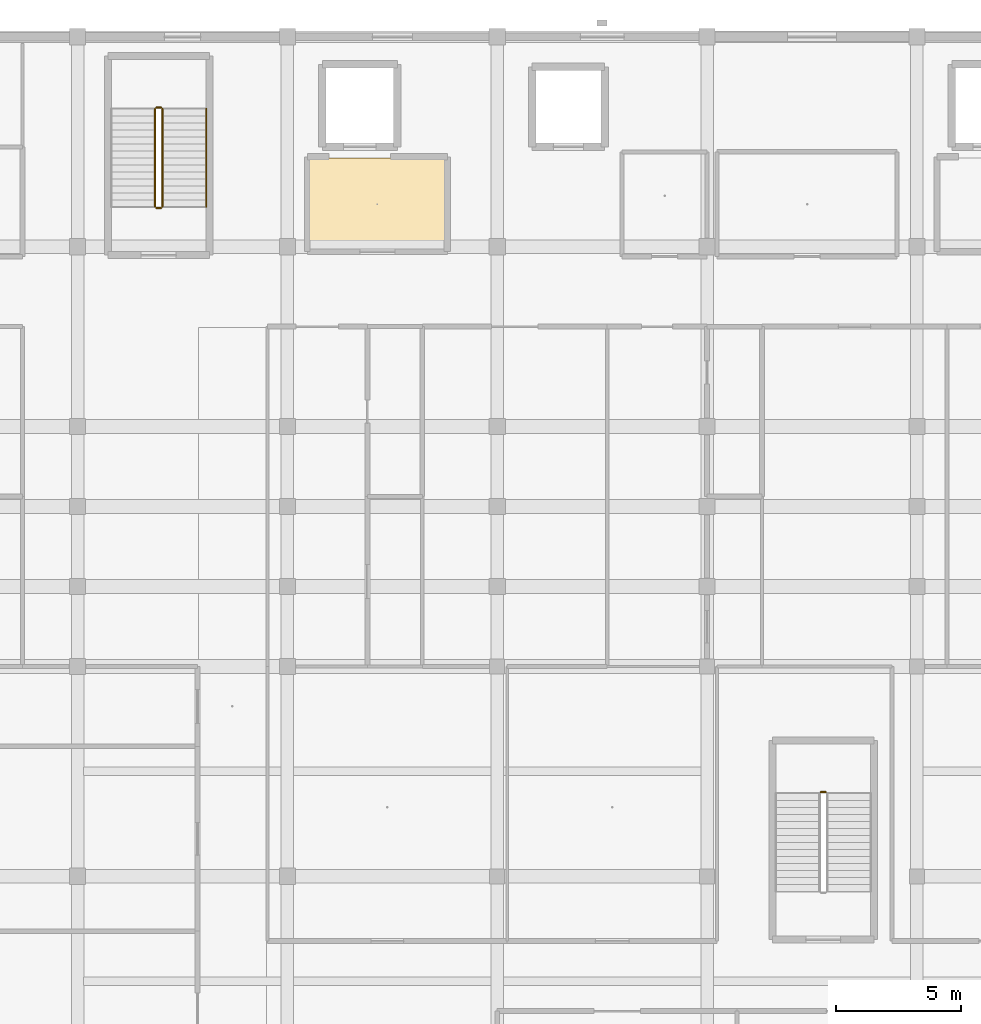
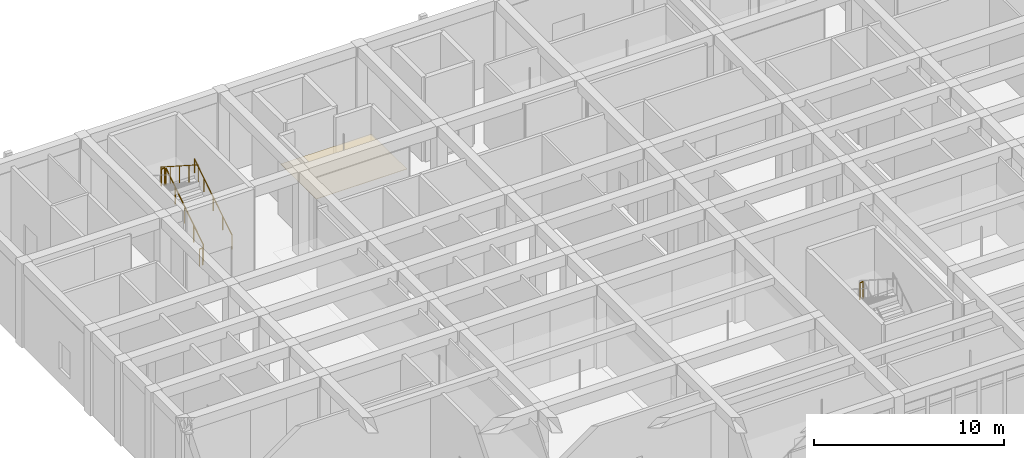
# One storey, part 140 of 157: 6 railings, 1 covering.
"""IFC4 building model written with IfcOpenShell, lengths in metres."""

import ifcopenshell
import ifcopenshell.guid

model = None  # the IFC model being written
_history = None  # IfcOwnerHistory: only IFC2X3 demands one
_inside = {}  # id of a spatial element -> (the spatial element, [elements in it])
_under = {}  # id of a project, library or spatial element -> (it, [spatial elements below it])
_declared = {}  # id of a project -> (the project, [libraries it declares])
_typed = {}  # id of a type object -> (the type object, [elements of that type])
_made_of = {}  # id of a material, layer set ... -> (it, [elements and type objects made of it])


def new_model(schema):
    """Start an empty IFC model of exactly this schema.

    Asked for "IFC4X3", IfcOpenShell would pick the latest addendum, in which some entities
    have other attributes; the version numbers below select the first issue.
    IFC2X3 requires an IfcOwnerHistory on every rooted entity: one is made here for all.
    """
    global model, _history
    if schema == "IFC4X3":
        model = ifcopenshell.file(schema_version=(4, 3, 0, 0))
    else:
        model = ifcopenshell.file(schema=schema)
    _inside.clear()
    _under.clear()
    _declared.clear()
    _typed.clear()
    _made_of.clear()
    _history = None
    if model.schema == "IFC2X3":
        org = make("IfcOrganization", Name="unknown")
        user = make(
            "IfcPersonAndOrganization",
            ThePerson=make("IfcPerson", FamilyName="unknown"),
            TheOrganization=org,
        )
        app = make(
            "IfcApplication",
            ApplicationDeveloper=org,
            Version="unknown",
            ApplicationFullName="unknown",
            ApplicationIdentifier="unknown",
        )
        _history = make(
            "IfcOwnerHistory",
            OwningUser=user,
            OwningApplication=app,
            ChangeAction="ADDED",
            CreationDate=0,
        )
    return model


def make(cls, **values):
    """One entity of the class cls with the attributes given. An attribute that is None is left unset."""
    return model.create_entity(
        cls, **{name: value for name, value in values.items() if value is not None}
    )


def rooted(cls, **values):
    """An entity with a GlobalId (a new one), such as an element, a storey or a relation."""
    return make(cls, GlobalId=ifcopenshell.guid.new(), OwnerHistory=_history, **values)


def si_unit(unit_type, name, prefix=None):
    """IfcSIUnit, for example si_unit("LENGTHUNIT", "METRE", prefix="MILLI")."""
    return make("IfcSIUnit", UnitType=unit_type, Prefix=prefix, Name=name)


def assignment(units):
    """IfcUnitAssignment: the units of a project."""
    return None if units is None else make("IfcUnitAssignment", Units=units)


def point(xyz):
    """IfcCartesianPoint."""
    return None if xyz is None else make("IfcCartesianPoint", Coordinates=xyz)


def direction(xyz):
    """IfcDirection."""
    return None if xyz is None else make("IfcDirection", DirectionRatios=xyz)


def frame(location, z_axis=None, x_axis=None):
    """IfcAxis2Placement3D, a coordinate frame: its origin and axes. An axis left out is left unset."""
    return make(
        "IfcAxis2Placement3D",
        Location=point(location),
        Axis=direction(z_axis),
        RefDirection=direction(x_axis),
    )


def frame_2d(location, x_axis=None):
    """IfcAxis2Placement2D, a coordinate frame in the plane: its origin and x axis."""
    return make(
        "IfcAxis2Placement2D", Location=point(location), RefDirection=direction(x_axis)
    )


def origin():
    """The frame at (0, 0, 0) with its axes left unset."""
    return frame((0.0, 0.0, 0.0))


def origin_2d():
    """The frame at (0, 0) in the plane with its x axis left unset."""
    return frame_2d((0.0, 0.0))


def place(relative_to, where):
    """IfcLocalPlacement: puts the frame where relative to a parent placement (None: the world)."""
    return make(
        "IfcLocalPlacement", PlacementRelTo=relative_to, RelativePlacement=where
    )


def context(
    kind, dimensions, precision=None, world=None, true_north=None, identifier=None
):
    """IfcGeometricRepresentationContext, for example the 3D "Model" context."""
    return make(
        "IfcGeometricRepresentationContext",
        ContextIdentifier=identifier,
        ContextType=kind,
        CoordinateSpaceDimension=dimensions,
        Precision=precision,
        WorldCoordinateSystem=world,
        TrueNorth=true_north,
    )


def subcontext(parent, identifier, kind, view, scale=None):
    """IfcGeometricRepresentationSubContext, for example "Body" below "Model"."""
    return make(
        "IfcGeometricRepresentationSubContext",
        ContextIdentifier=identifier,
        ContextType=kind,
        ParentContext=parent,
        TargetScale=scale,
        TargetView=view,
    )


def project(units=None, contexts=None):
    """IfcProject with its units and contexts."""
    return rooted(
        "IfcProject",
        Name="project",
        RepresentationContexts=contexts,
        UnitsInContext=assignment(units),
    )


def spatial(cls, under=None, at=None, **own):
    """A site, building, storey or space (cls), placed at a placement, below another one or the project."""
    s = rooted(cls, ObjectPlacement=at, **own)
    if under is not None:
        _under.setdefault(under.id(), (under, []))[1].append(s)
    return s


def polyline(points):
    """IfcPolyline through the points."""
    return make("IfcPolyline", Points=[point(p) for p in points])


def profile(cls, at=None, kind="AREA", **sizes):
    """A parametric profile (cls). Its sizes go by their IFC names, for example OverallWidth=200.0."""
    return make(cls, ProfileType=kind, Position=at, **sizes)


def circle(**sizes):
    """IfcCircleProfileDef."""
    return profile("IfcCircleProfileDef", **sizes)


def outline(outer, holes=None, kind="AREA"):
    """IfcArbitraryClosedProfileDef: a profile drawn as a closed curve; with holes, ...WithVoids."""
    if holes is None:
        return make("IfcArbitraryClosedProfileDef", ProfileType=kind, OuterCurve=outer)
    return make(
        "IfcArbitraryProfileDefWithVoids",
        ProfileType=kind,
        OuterCurve=outer,
        InnerCurves=holes,
    )


def extrude(swept, where, along, depth):
    """IfcExtrudedAreaSolid: the profile swept, set in the frame where, extruded along a direction by depth."""
    return make(
        "IfcExtrudedAreaSolid",
        SweptArea=swept,
        Position=where,
        ExtrudedDirection=direction(along),
        Depth=depth,
    )


def shape(context_of_items, identifier, shape_type, items):
    """IfcShapeRepresentation: the items that make up one representation, for example the "Body"."""
    return make(
        "IfcShapeRepresentation",
        ContextOfItems=context_of_items,
        RepresentationIdentifier=identifier,
        RepresentationType=shape_type,
        Items=items,
    )


def material(Name=None, Category=None):
    """IfcMaterial."""
    return make("IfcMaterial", Name=Name, Category=Category)


def layer(
    of_material, thickness, ventilated=None, Name=None, Category=None, Priority=None
):
    """IfcMaterialLayer: one layer of a wall or slab, of a material (None: an air gap)."""
    return make(
        "IfcMaterialLayer",
        Material=of_material,
        LayerThickness=thickness,
        IsVentilated=ventilated,
        Name=Name,
        Category=Category,
        Priority=Priority,
    )


def layer_set(layers, Name=None):
    """IfcMaterialLayerSet."""
    return make("IfcMaterialLayerSet", MaterialLayers=layers, LayerSetName=Name)


def made_of(thing, what):
    """Note that an element or type object is made of a material, layer set ...; save() writes the relation."""
    if what is not None:
        _made_of.setdefault(what.id(), (what, []))[1].append(thing)
    return thing


def type_object(cls, material=None, **own):
    """A type object (cls), such as IfcWallType, which elements share."""
    return made_of(rooted(cls, **own), material)


def element(
    cls,
    number,
    at=None,
    inside=None,
    cuts=None,
    type_object=None,
    material=None,
    context=None,
    identifier="Body",
    shape_type=None,
    held_by="IfcProductDefinitionShape",
    body=None,
    shapes=None,
    **own,
):
    """One element of the class cls, such as IfcWall. Its Tag is "e" and its number.

    at: its placement. inside: the storey or other place that contains it. cuts: it is an
    opening in that element (IfcRelVoidsElement). A single representation is given by context,
    identifier, shape_type and body (its items); several are given by shapes. held_by: the class
    of the entity that holds the representations. save() writes the other relations.
    """
    e = rooted(cls, Tag="e%d" % number, ObjectPlacement=at, **own)
    if body is not None:
        shapes = [shape(context, identifier, shape_type, body)]
    if shapes is not None:
        e.Representation = make(held_by, Representations=shapes)
    if inside is not None:
        _inside.setdefault(inside.id(), (inside, []))[1].append(e)
    if cuts is not None:
        rooted(
            "IfcRelVoidsElement", RelatingBuildingElement=cuts, RelatedOpeningElement=e
        )
    if type_object is not None:
        _typed.setdefault(type_object.id(), (type_object, []))[1].append(e)
    return made_of(e, material)


def aggregate(whole, parts):
    """IfcRelAggregates: a whole, such as a stair, and the parts it consists of."""
    return rooted("IfcRelAggregates", RelatingObject=whole, RelatedObjects=parts)


def save(model, path):
    """Write the relations noted so far, then the file.

    IfcRelAggregates (storeys below a building ...), IfcRelContainedInSpatialStructure (elements
    in a storey), IfcRelDefinesByType, IfcRelAssociatesMaterial and IfcRelDeclares: one each for
    every whole, place, type object, material and project.
    """
    for whole, parts in _under.values():
        aggregate(whole, parts)
    for where, things in _inside.values():
        rooted(
            "IfcRelContainedInSpatialStructure",
            RelatedElements=things,
            RelatingStructure=where,
        )
    for kind, things in _typed.values():
        rooted("IfcRelDefinesByType", RelatedObjects=things, RelatingType=kind)
    for what, things in _made_of.values():
        rooted("IfcRelAssociatesMaterial", RelatedObjects=things, RelatingMaterial=what)
    for by, libraries in _declared.values():
        rooted("IfcRelDeclares", RelatingContext=by, RelatedDefinitions=libraries)
    model.write(path)


model = new_model("IFC4")

# Units and contexts
model_context = context("Model", 3, precision=1e-05, world=origin(), true_north=direction((0.0, 1.0)))
body_context = subcontext(model_context, "Body", "Model", "MODEL_VIEW")
ifc_project = project(units=[si_unit("LENGTHUNIT", "METRE"), si_unit("AREAUNIT", "SQUARE_METRE"), si_unit("VOLUMEUNIT", "CUBIC_METRE"), si_unit("PLANEANGLEUNIT", "RADIAN"), si_unit("MASSUNIT", "GRAM", prefix="KILO")], contexts=[model_context])

# Site, building, storey
site_placement = place(None, origin())
site = spatial("IfcSite", under=ifc_project, at=site_placement, CompositionType="ELEMENT")
building_placement = place(site_placement, origin())
building = spatial("IfcBuilding", under=site, at=building_placement, Name="Varncliffe General Hospital", CompositionType="ELEMENT")
storey_placement = place(building_placement, frame((0.0, 0.0, 5.39990234375)))
storey = spatial("IfcBuildingStorey", under=building, at=storey_placement, Name="L01", CompositionType="ELEMENT", Elevation=5.39990234375)

# Covering
ifc_material_1 = material(Name="Hygienic antimicrobial acoustic suspended ceiling tile", Category="gypsum")
ifc_layer = layer(ifc_material_1, 0.02490234375)
ifc_layer_set = layer_set([ifc_layer], Name="Hygienic antimicrobial acoustic suspended ceiling tile")
covering_type = type_object("IfcCoveringType", Name="Antimicrobial Acoustic Suspended Ceiling CLG44", PredefinedType="CEILING", material=ifc_layer_set)
covering_placement = place(storey_placement, frame((0.0, 0.0, 3.175048828125)))
element("IfcCovering", 1, at=covering_placement, inside=storey, type_object=covering_type, Name="L01 Firefighting Lift Lobby LF01 Suspended Ceiling", PredefinedType="CEILING", context=body_context, shape_type="SweptSolid", body=[
    extrude(outline(polyline([(23.159912109375, 116.239990234375), (23.159912109375, 119.9599609375), (17.639892578125, 119.9599609375), (17.639892578125, 116.239990234375), (23.159912109375, 116.239990234375)])), origin(), (0.0, 0.0, 1.0), 0.025146484375),
])

# Railings
ifc_material_2 = material(Name="Powder-coated hospital steel guardrail and handrail", Category="steel")
railing_type_1 = type_object("IfcRailingType", Name="Stair and Ramp Handrail HR46", PredefinedType="HANDRAIL", material=ifc_material_2)
railing_1_placement = place(storey_placement, frame((13.550048828125, 118.0, 0.364013671875)))
element("IfcRailing", 2, at=railing_1_placement, inside=storey, type_object=railing_type_1, Name="L01 ST01 stair handrail 1", PredefinedType="HANDRAIL", context=body_context, shape_type="SweptSolid", body=[
    extrude(circle(Radius=0.02392578125, at=origin_2d()), frame((0.0, 0.0, 0.8759765625), z_axis=(0.0, 0.841171666519, 0.540768182723), x_axis=(-1.0, 0.0, 0.0)), (0.0, 0.0, 1.0), 4.66015625),
    extrude(circle(Radius=0.02099609375, at=origin_2d()), origin(), (0.0, 0.0, 1.0), 0.851806640625),
    extrude(circle(Radius=0.02099609375, at=origin_2d()), frame((0.0, 0.97998046875, 0.6298828125)), (0.0, 0.0, 1.0), 0.851806640625),
    extrude(circle(Radius=0.02099609375, at=origin_2d()), frame((0.0, 1.9599609375, 1.260009765625)), (0.0, 0.0, 1.0), 0.851806640625),
    extrude(circle(Radius=0.02099609375, at=origin_2d()), frame((0.0, 2.93994140625, 1.89013671875)), (0.0, 0.0, 1.0), 0.851806640625),
    extrude(circle(Radius=0.02099609375, at=origin_2d()), frame((0.0, 3.919921875, 2.52001953125)), (0.0, 0.0, 1.0), 0.851806640625),
])
railing_type_2 = type_object("IfcRailingType", Name="Stairwell Guardrail SG49", PredefinedType="GUARDRAIL", material=ifc_material_2)
railing_2_placement = place(storey_placement, frame((11.800048828125, 118.0, 0.18017578125)))
element("IfcRailing", 3, at=railing_2_placement, inside=storey, type_object=railing_type_2, Name="L01 ST01 stair guard 1", PredefinedType="GUARDRAIL", context=body_context, shape_type="SweptSolid", body=[
    extrude(circle(Radius=0.02392578125, at=origin_2d()), frame((0.0, 0.0, 1.076171875), z_axis=(0.0, 0.841171666519, 0.540768182723), x_axis=(-1.0, 0.0, 0.0)), (0.0, 0.0, 1.0), 4.66015625),
    extrude(circle(Radius=0.02099609375, at=origin_2d()), origin(), (0.0, 0.0, 1.0), 1.052001953125),
    extrude(circle(Radius=0.02099609375, at=origin_2d()), frame((0.0, 0.97998046875, 0.6298828125)), (0.0, 0.0, 1.0), 1.052001953125),
    extrude(circle(Radius=0.02099609375, at=origin_2d()), frame((0.0, 1.9599609375, 1.260009765625)), (0.0, 0.0, 1.0), 1.052001953125),
    extrude(circle(Radius=0.02099609375, at=origin_2d()), frame((0.0, 2.93994140625, 1.89013671875)), (0.0, 0.0, 1.0), 1.052001953125),
    extrude(circle(Radius=0.02099609375, at=origin_2d()), frame((0.0, 3.919921875, 2.52001953125)), (0.0, 0.0, 1.0), 1.052001953125),
])
railing_3_placement = place(storey_placement, frame((11.75, 121.969970703125, 2.7001953125)))
element("IfcRailing", 4, at=railing_3_placement, inside=storey, type_object=railing_type_2, Name="L01 ST01 stair guard 2", PredefinedType="GUARDRAIL", context=body_context, shape_type="SweptSolid", body=[
    extrude(circle(Radius=0.02392578125, at=origin_2d()), frame((0.0, 0.0, 1.076171875), z_axis=(-1.0, 0.0, 0.0), x_axis=(0.0, -1.0, 0.0)), (0.0, 0.0, 1.0), 0.199951171875),
    extrude(circle(Radius=0.02099609375, at=origin_2d()), origin(), (0.0, 0.0, 1.0), 1.052001953125),
    extrude(circle(Radius=0.02099609375, at=origin_2d()), frame((-0.199951171875, 0.0, 0.0)), (0.0, 0.0, 1.0), 1.052001953125),
])
railing_4_placement = place(storey_placement, frame((11.5, 121.919921875, 2.880126953125)))
element("IfcRailing", 5, at=railing_4_placement, inside=storey, type_object=railing_type_2, Name="L01 ST01 stair guard 3", PredefinedType="GUARDRAIL", context=body_context, shape_type="SweptSolid", body=[
    extrude(circle(Radius=0.02392578125, at=origin_2d()), frame((0.0, 0.0, 1.076171875), z_axis=(0.0, -0.841171666519, 0.540768182723), x_axis=(1.0, 0.0, 0.0)), (0.0, 0.0, 1.0), 4.66015625),
    extrude(circle(Radius=0.02099609375, at=origin_2d()), origin(), (0.0, 0.0, 1.0), 1.052001953125),
    extrude(circle(Radius=0.02099609375, at=origin_2d()), frame((0.0, -0.97998046875, 0.6298828125)), (0.0, 0.0, 1.0), 1.052001953125),
    extrude(circle(Radius=0.02099609375, at=origin_2d()), frame((0.0, -1.9599609375, 1.260009765625)), (0.0, 0.0, 1.0), 1.052001953125),
    extrude(circle(Radius=0.02099609375, at=origin_2d()), frame((0.0, -2.93994140625, 1.89013671875)), (0.0, 0.0, 1.0), 1.052001953125),
    extrude(circle(Radius=0.02099609375, at=origin_2d()), frame((0.0, -3.919921875, 2.52001953125)), (0.0, 0.0, 1.0), 1.052001953125),
])
railing_5_placement = place(storey_placement, frame((11.75, 117.949951171875, 0.0)))
element("IfcRailing", 6, at=railing_5_placement, inside=storey, type_object=railing_type_2, Name="L01 ST01 stair guard 4", PredefinedType="GUARDRAIL", context=body_context, shape_type="SweptSolid", body=[
    extrude(circle(Radius=0.02392578125, at=origin_2d()), frame((0.0, 0.0, 1.076171875), z_axis=(-1.0, 0.0, 0.0), x_axis=(0.0, -1.0, 0.0)), (0.0, 0.0, 1.0), 0.199951171875),
    extrude(circle(Radius=0.02099609375, at=origin_2d()), origin(), (0.0, 0.0, 1.0), 1.052001953125),
    extrude(circle(Radius=0.02099609375, at=origin_2d()), frame((-0.199951171875, 0.0, 0.0)), (0.0, 0.0, 1.0), 1.052001953125),
])
railing_6_placement = place(storey_placement, frame((38.35009765625, 94.570068359375, 2.7001953125)))
element("IfcRailing", 7, at=railing_6_placement, inside=storey, type_object=railing_type_2, Name="L01 ST13 stair guard 2", PredefinedType="GUARDRAIL", context=body_context, shape_type="SweptSolid", body=[
    extrude(circle(Radius=0.02392578125, at=origin_2d()), frame((0.0, 0.0, 1.076171875), z_axis=(-1.0, 0.0, 0.0), x_axis=(0.0, -1.0, 0.0)), (0.0, 0.0, 1.0), 0.2001953125),
    extrude(circle(Radius=0.02099609375, at=origin_2d()), origin(), (0.0, 0.0, 1.0), 1.052001953125),
    extrude(circle(Radius=0.02099609375, at=origin_2d()), frame((-0.2001953125, 0.0, 0.0)), (0.0, 0.0, 1.0), 1.052001953125),
])

save(model, "model.ifc")
